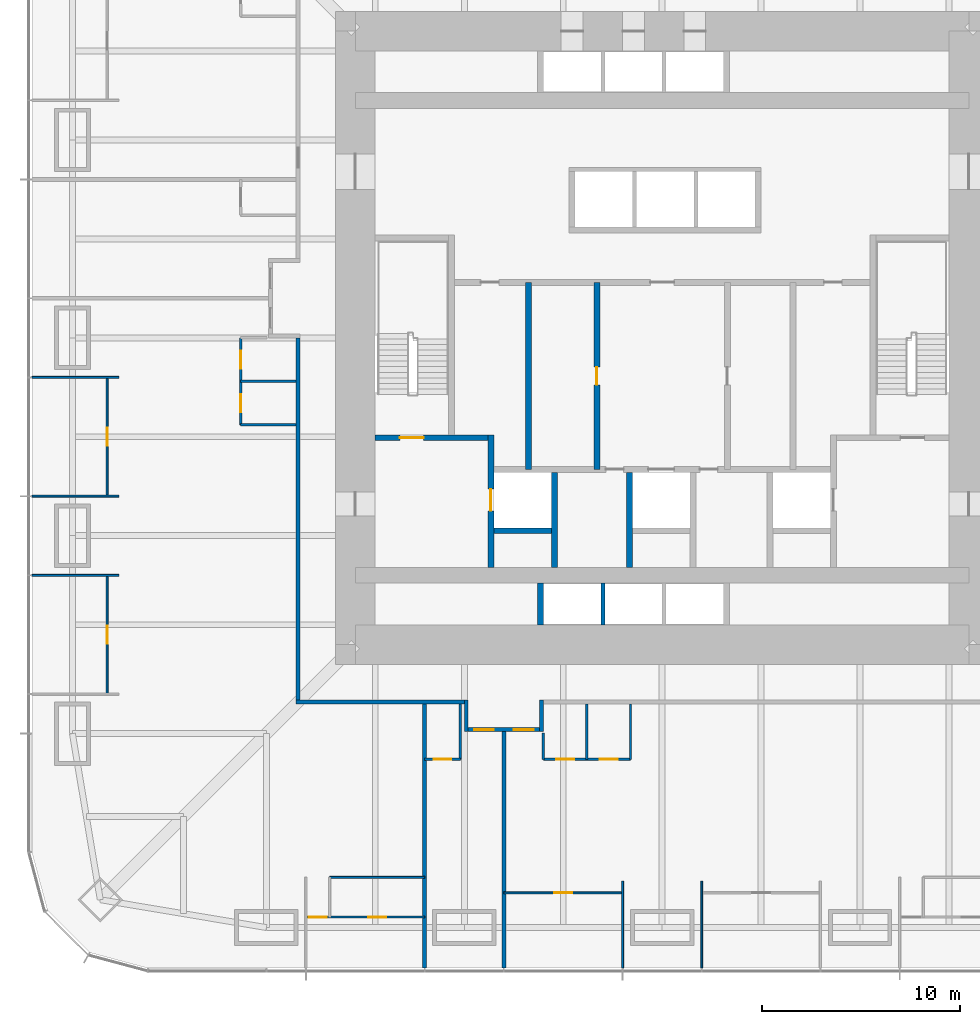
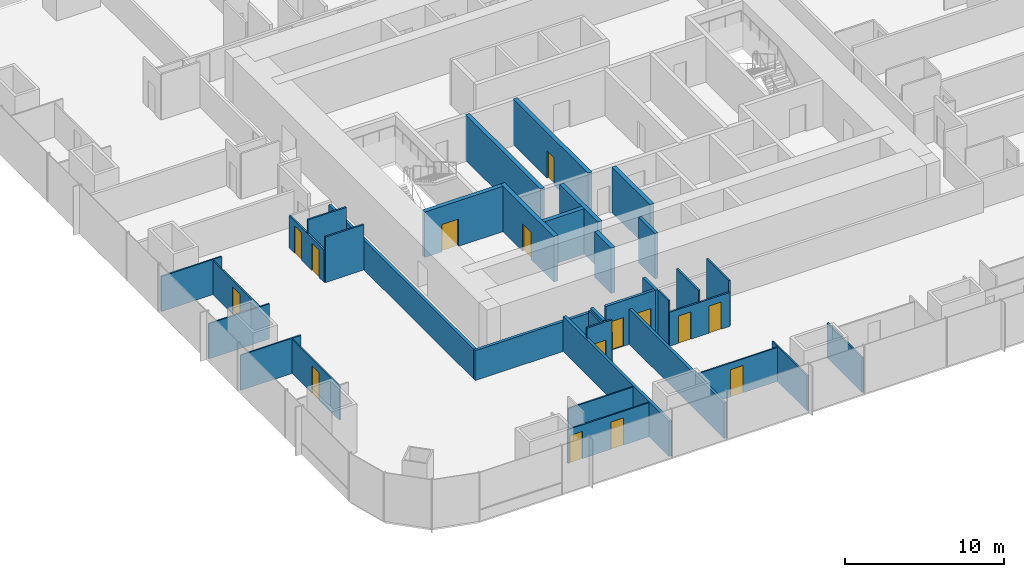
# One storey, part 15 of 20: 35 walls, 15 doors, 15 openings.
"""IFC4 building model written with IfcOpenShell, lengths in metres."""

from ifc_helpers import new_model, si_unit, direction, frame, frame_2d, origin, place, context, subcontext, project, spatial, rectangle, extrude, material, layer, layer_set, type_object, element, fill, save


model = new_model("IFC4")

# Units and contexts
model_context = context("Model", 3, precision=1e-05, world=origin(), true_north=direction((0.0, 1.0)))
body_context = subcontext(model_context, "Body", "Model", "MODEL_VIEW")
ifc_project = project(units=[si_unit("LENGTHUNIT", "METRE"), si_unit("AREAUNIT", "SQUARE_METRE"), si_unit("VOLUMEUNIT", "CUBIC_METRE"), si_unit("PLANEANGLEUNIT", "RADIAN"), si_unit("MASSUNIT", "GRAM", prefix="KILO")], contexts=[model_context])

# Site, building, storey
site_placement = place(None, origin())
site = spatial("IfcSite", under=ifc_project, at=site_placement, CompositionType="ELEMENT")
building_placement = place(site_placement, origin())
building = spatial("IfcBuilding", under=site, at=building_placement, Name="Khuree Lantern Residences", CompositionType="ELEMENT")
storey_placement = place(building_placement, frame((0.0, 0.0, 32.25)))
storey = spatial("IfcBuildingStorey", under=building, at=storey_placement, Name="L07", CompositionType="ELEMENT", Elevation=32.25)

# Wall, openings, doors
ifc_material_1 = material(Name="Moisture-resistant gypsum board on steel studs", Category="steel")
ifc_layer_1 = layer(ifc_material_1, 0.125)
ifc_layer_set_1 = layer_set([ifc_layer_1], Name="BATHROOM WALL BTW125")
wall_type_1 = type_object("IfcWallType", Name="BATHROOM WALL BTW125", PredefinedType="PARTITIONING", material=ifc_layer_set_1)
wall_1_placement = place(storey_placement, frame((-21.300048828125, 0.0, 0.0), z_axis=(0.0, 0.0, 1.0), x_axis=(0.0, -1.0, 0.0)))
wall_1 = element("IfcWall", 1, at=wall_1_placement, inside=storey, type_object=wall_type_1, Name="L07 BATHROOM WALL 09", PredefinedType="PARTITIONING", context=body_context, shape_type="SweptSolid", body=[
    extrude(rectangle(XDim=4.39990234375, YDim=0.125, at=frame_2d((2.199951171875, 0.0))), origin(), (0.0, 0.0, 1.0), 2.491943359375),
])
opening_1_placement = place(wall_1_placement, frame((0.64990234375, 0.0, 0.0)))
opening_1 = element("IfcOpeningElement", 2, at=opening_1_placement, cuts=wall_1, Name="Opening 07-047", PredefinedType="OPENING", context=body_context, shape_type="SweptSolid", body=[
    extrude(rectangle(XDim=0.89990234375, YDim=2.10009765625, at=frame_2d((0.449951171875, 1.050048828125))), frame((0.0, 0.072509765625, 0.0), z_axis=(0.0, -1.0, 0.0), x_axis=(1.0, 0.0, 0.0)), (0.0, 0.0, 1.0), 0.14501953125),
])
opening_2_placement = place(wall_1_placement, frame((2.85009765625, 0.0, 0.0)))
opening_2 = element("IfcOpeningElement", 3, at=opening_2_placement, cuts=wall_1, Name="Opening 07-048", PredefinedType="OPENING", context=body_context, shape_type="SweptSolid", body=[
    extrude(rectangle(XDim=0.89990234375, YDim=2.10009765625, at=frame_2d((0.449951171875, 1.050048828125))), frame((0.0, 0.072509765625, 0.0), z_axis=(0.0, -1.0, 0.0), x_axis=(1.0, 0.0, 0.0)), (0.0, 0.0, 1.0), 0.14501953125),
])
ifc_material_2 = material(Name="Timber door leaf in hardwood frame", Category="wood")
door_type_1 = type_object("IfcDoorType", Name="BATHROOM DOOR 900X2100", OperationType="SINGLE_SWING_LEFT", PredefinedType="DOOR", material=ifc_material_2)
door_1_placement = place(opening_1_placement, origin())
door_1 = element("IfcDoor", 4, at=door_1_placement, inside=storey, type_object=door_type_1, Name="Bathroom door 07-047", OperationType="SINGLE_SWING_LEFT", OverallHeight=2.10009765625, OverallWidth=0.89990234375, PredefinedType="DOOR", context=body_context, shape_type="SweptSolid", body=[
    extrude(rectangle(XDim=0.89990234375, YDim=2.10009765625, at=frame_2d((0.449951171875, 1.050048828125))), frame((0.0, 0.02490234375, 0.0), z_axis=(0.0, -1.0, 0.0), x_axis=(1.0, 0.0, 0.0)), (0.0, 0.0, 1.0), 0.050048828125),
])
fill(opening_1, door_1)
door_2_placement = place(opening_2_placement, origin())
door_2 = element("IfcDoor", 5, at=door_2_placement, inside=storey, type_object=door_type_1, Name="Bathroom door 07-048", OperationType="SINGLE_SWING_LEFT", OverallHeight=2.10009765625, OverallWidth=0.89990234375, PredefinedType="DOOR", context=body_context, shape_type="SweptSolid", body=[
    extrude(rectangle(XDim=0.89990234375, YDim=2.10009765625, at=frame_2d((0.449951171875, 1.050048828125))), frame((0.0, 0.02490234375, 0.0), z_axis=(0.0, -1.0, 0.0), x_axis=(1.0, 0.0, 0.0)), (0.0, 0.0, 1.0), 0.050048828125),
])
fill(opening_2, door_2)

# Walls
for number, where, z_axis, x_axis, name in (
    (6, (-18.5, -2.199951171875, 0.0), (0.0, 0.0, 1.0), (-1.0, 0.0, 0.0), "L07 BATHROOM WALL 09"),
    (7, (-18.5, -4.39990234375, 0.0), (0.0, 0.0, 1.0), (-1.0, 0.0, 0.0), "L07 BATHROOM WALL 09"),
):
    element("IfcWall", number, at=place(storey_placement, frame(where, z_axis=z_axis, x_axis=x_axis)), inside=storey, type_object=wall_type_1, Name=name, PredefinedType="PARTITIONING", context=body_context, shape_type="SweptSolid", body=[
        extrude(rectangle(XDim=2.800048828125, YDim=0.125, at=frame_2d((1.39990234375, 0.0))), origin(), (0.0, 0.0, 1.0), 3.5),
    ])

# Wall, opening, door
wall_2_placement = place(storey_placement, frame((-12.0, -21.300048828125, 0.0), z_axis=(0.0, 0.0, 1.0), x_axis=(1.0, 0.0, 0.0)))
wall_2 = element("IfcWall", 8, at=wall_2_placement, inside=storey, type_object=wall_type_1, Name="L07 BATHROOM WALL 10", PredefinedType="PARTITIONING", context=body_context, shape_type="SweptSolid", body=[
    extrude(rectangle(XDim=1.800048828125, YDim=0.125, at=frame_2d((0.89990234375, 0.0))), origin(), (0.0, 0.0, 1.0), 3.5),
])
opening_3_placement = place(wall_2_placement, frame((0.449951171875, 0.0, 0.0)))
opening_3 = element("IfcOpeningElement", 9, at=opening_3_placement, cuts=wall_2, Name="Opening 07-050", PredefinedType="OPENING", context=body_context, shape_type="SweptSolid", body=[
    extrude(rectangle(XDim=0.89990234375, YDim=2.10009765625, at=frame_2d((0.449951171875, 1.050048828125))), frame((0.0, 0.072509765625, 0.0), z_axis=(0.0, -1.0, 0.0), x_axis=(1.0, 0.0, 0.0)), (0.0, 0.0, 1.0), 0.14501953125),
])
door_3_placement = place(opening_3_placement, origin())
door_3 = element("IfcDoor", 10, at=door_3_placement, inside=storey, type_object=door_type_1, Name="Bathroom door 07-050", OperationType="SINGLE_SWING_LEFT", OverallHeight=2.10009765625, OverallWidth=0.89990234375, PredefinedType="DOOR", context=body_context, shape_type="SweptSolid", body=[
    extrude(rectangle(XDim=0.89990234375, YDim=2.10009765625, at=frame_2d((0.449951171875, 1.050048828125))), frame((0.0, 0.02490234375, 0.0), z_axis=(0.0, -1.0, 0.0), x_axis=(1.0, 0.0, 0.0)), (0.0, 0.0, 1.0), 0.050048828125),
])
fill(opening_3, door_3)

# Wall
wall_3_placement = place(storey_placement, frame((-10.199951171875, -18.5, 0.0), z_axis=(0.0, 0.0, 1.0), x_axis=(0.0, -1.0, 0.0)))
element("IfcWall", 11, at=wall_3_placement, inside=storey, type_object=wall_type_1, Name="L07 BATHROOM WALL 10", PredefinedType="PARTITIONING", context=body_context, shape_type="SweptSolid", body=[
    extrude(rectangle(XDim=2.800048828125, YDim=0.125, at=frame_2d((1.39990234375, 0.0))), origin(), (0.0, 0.0, 1.0), 2.491943359375),
])

# Wall, openings, doors
wall_4_placement = place(storey_placement, frame((-6.0, -21.300048828125, 0.0), z_axis=(0.0, 0.0, 1.0), x_axis=(1.0, 0.0, 0.0)))
wall_4 = element("IfcWall", 12, at=wall_4_placement, inside=storey, type_object=wall_type_1, Name="L07 BATHROOM WALL 11", PredefinedType="PARTITIONING", context=body_context, shape_type="SweptSolid", body=[
    extrude(rectangle(XDim=4.39990234375, YDim=0.125, at=frame_2d((2.199951171875, 0.0))), origin(), (0.0, 0.0, 1.0), 2.610107421875),
])
opening_4_placement = place(wall_4_placement, frame((0.64990234375, 0.0, 0.0)))
opening_4 = element("IfcOpeningElement", 13, at=opening_4_placement, cuts=wall_4, Name="Opening 07-056", PredefinedType="OPENING", context=body_context, shape_type="SweptSolid", body=[
    extrude(rectangle(XDim=0.89990234375, YDim=2.10009765625, at=frame_2d((0.449951171875, 1.050048828125))), frame((0.0, 0.072509765625, 0.0), z_axis=(0.0, -1.0, 0.0), x_axis=(1.0, 0.0, 0.0)), (0.0, 0.0, 1.0), 0.14501953125),
])
opening_5_placement = place(wall_4_placement, frame((2.85009765625, 0.0, 0.0)))
opening_5 = element("IfcOpeningElement", 14, at=opening_5_placement, cuts=wall_4, Name="Opening 07-057", PredefinedType="OPENING", context=body_context, shape_type="SweptSolid", body=[
    extrude(rectangle(XDim=0.89990234375, YDim=2.10009765625, at=frame_2d((0.449951171875, 1.050048828125))), frame((0.0, 0.072509765625, 0.0), z_axis=(0.0, -1.0, 0.0), x_axis=(1.0, 0.0, 0.0)), (0.0, 0.0, 1.0), 0.14501953125),
])
door_4_placement = place(opening_4_placement, origin())
door_4 = element("IfcDoor", 15, at=door_4_placement, inside=storey, type_object=door_type_1, Name="Bathroom door 07-056", OperationType="SINGLE_SWING_LEFT", OverallHeight=2.10009765625, OverallWidth=0.89990234375, PredefinedType="DOOR", context=body_context, shape_type="SweptSolid", body=[
    extrude(rectangle(XDim=0.89990234375, YDim=2.10009765625, at=frame_2d((0.449951171875, 1.050048828125))), frame((0.0, 0.02490234375, 0.0), z_axis=(0.0, -1.0, 0.0), x_axis=(1.0, 0.0, 0.0)), (0.0, 0.0, 1.0), 0.050048828125),
])
fill(opening_4, door_4)
door_5_placement = place(opening_5_placement, origin())
door_5 = element("IfcDoor", 16, at=door_5_placement, inside=storey, type_object=door_type_1, Name="Bathroom door 07-057", OperationType="SINGLE_SWING_LEFT", OverallHeight=2.10009765625, OverallWidth=0.89990234375, PredefinedType="DOOR", context=body_context, shape_type="SweptSolid", body=[
    extrude(rectangle(XDim=0.89990234375, YDim=2.10009765625, at=frame_2d((0.449951171875, 1.050048828125))), frame((0.0, 0.02490234375, 0.0), z_axis=(0.0, -1.0, 0.0), x_axis=(1.0, 0.0, 0.0)), (0.0, 0.0, 1.0), 0.050048828125),
])
fill(opening_5, door_5)

# Walls
wall_5_placement = place(storey_placement, frame((-6.0, -19.969970703125, 0.0), z_axis=(0.0, 0.0, 1.0), x_axis=(0.0, -1.0, 0.0)))
element("IfcWall", 17, at=wall_5_placement, inside=storey, type_object=wall_type_1, Name="L07 BATHROOM WALL 11", PredefinedType="PARTITIONING", context=body_context, shape_type="SweptSolid", body=[
    extrude(rectangle(XDim=1.330078125, YDim=0.125, at=frame_2d((0.6650390625, 0.0))), origin(), (0.0, 0.0, 1.0), 3.5),
])
for number, where, z_axis, x_axis, name in (
    (18, (-3.800048828125, -18.5, 0.0), (0.0, 0.0, 1.0), (0.0, -1.0, 0.0), "L07 BATHROOM WALL 11"),
    (19, (-1.60009765625, -18.5, 0.0), (0.0, 0.0, 1.0), (0.0, -1.0, 0.0), "L07 BATHROOM WALL 11"),
):
    element("IfcWall", number, at=place(storey_placement, frame(where, z_axis=z_axis, x_axis=x_axis)), inside=storey, type_object=wall_type_1, Name=name, PredefinedType="PARTITIONING", context=body_context, shape_type="SweptSolid", body=[
        extrude(rectangle(XDim=2.800048828125, YDim=0.125, at=frame_2d((1.39990234375, 0.0))), origin(), (0.0, 0.0, 1.0), 3.5),
    ])

# Wall, opening, door
ifc_material_3 = material(Name="Dense concrete blockwork", Category="masonry")
ifc_layer_2 = layer(ifc_material_3, 0.300048828125)
ifc_layer_set_2 = layer_set([ifc_layer_2], Name="CORE PARTITION WALL CPW300 EI 120")
wall_type_2 = type_object("IfcWallType", Name="CORE PARTITION WALL CPW300 EI 120", PredefinedType="PARTITIONING", material=ifc_layer_set_2)
wall_6_placement = place(storey_placement, frame((-8.64990234375, -11.60009765625, 0.0), z_axis=(0.0, 0.0, 1.0), x_axis=(0.0, 1.0, 0.0)))
wall_6 = element("IfcWall", 20, at=wall_6_placement, inside=storey, type_object=wall_type_2, Name="L07 CORE WALL FL1W", PredefinedType="PARTITIONING", context=body_context, shape_type="SweptSolid", body=[
    extrude(rectangle(XDim=6.7001953125, YDim=0.300048828125, at=frame_2d((3.35009765625, 0.0))), origin(), (0.0, 0.0, 1.0), 3.5),
])
opening_6_placement = place(wall_6_placement, frame((2.85009765625, 0.0, 0.0)))
opening_6 = element("IfcOpeningElement", 21, at=opening_6_placement, cuts=wall_6, Name="Opening 07-007", PredefinedType="OPENING", context=body_context, shape_type="SweptSolid", body=[
    extrude(rectangle(XDim=1.10009765625, YDim=2.10009765625, at=frame_2d((0.550048828125, 1.050048828125))), frame((0.0, 0.16015625, 0.0), z_axis=(0.0, -1.0, 0.0), x_axis=(1.0, 0.0, 0.0)), (0.0, 0.0, 1.0), 0.320068359375),
])
ifc_material_4 = material(Name="Stainless steel lift landing door", Category="steel")
door_type_2 = type_object("IfcDoorType", Name="LIFT LANDING DOOR 1100X2100 E 120", OperationType="DOUBLE_DOOR_SLIDING", PredefinedType="DOOR", material=ifc_material_4)
door_6_placement = place(opening_6_placement, origin())
door_6 = element("IfcDoor", 22, at=door_6_placement, inside=storey, type_object=door_type_2, Name="Landing door FL1 07-007", OperationType="DOUBLE_DOOR_SLIDING", OverallHeight=2.10009765625, OverallWidth=1.10009765625, PredefinedType="DOOR", context=body_context, shape_type="SweptSolid", body=[
    extrude(rectangle(XDim=1.10009765625, YDim=2.10009765625, at=frame_2d((0.550048828125, 1.050048828125))), frame((0.0, 0.02490234375, 0.0), z_axis=(0.0, -1.0, 0.0), x_axis=(1.0, 0.0, 0.0)), (0.0, 0.0, 1.0), 0.050048828125),
])
fill(opening_6, door_6)

# Walls
for number, where, z_axis, x_axis, name in (
    (23, (-5.449951171875, -11.60009765625, 0.0), (0.0, 0.0, 1.0), (0.0, 1.0, 0.0), "L07 CORE WALL FL1E"),
    (24, (-1.64990234375, -11.60009765625, 0.0), (0.0, 0.0, 1.0), (0.0, 1.0, 0.0), "L07 CORE WALL SL1W"),
):
    element("IfcWall", number, at=place(storey_placement, frame(where, z_axis=z_axis, x_axis=x_axis)), inside=storey, type_object=wall_type_2, Name=name, PredefinedType="PARTITIONING", context=body_context, shape_type="SweptSolid", body=[
        extrude(rectangle(XDim=4.800048828125, YDim=0.300048828125, at=frame_2d((2.39990234375, 0.0))), origin(), (0.0, 0.0, 1.0), 3.5),
    ])
wall_7_placement = place(storey_placement, frame((-8.5, -9.75, 0.0), z_axis=(0.0, 0.0, 1.0), x_axis=(1.0, 0.0, 0.0)))
element("IfcWall", 25, at=wall_7_placement, inside=storey, type_object=wall_type_2, Name="L07 CORE WALL FL1S", PredefinedType="PARTITIONING", context=body_context, shape_type="SweptSolid", body=[
    extrude(rectangle(XDim=2.89990234375, YDim=0.300048828125, at=frame_2d((1.449951171875, 0.0))), origin(), (0.0, 0.0, 1.0), 3.5),
])
wall_8_placement = place(storey_placement, frame((-6.14990234375, -14.5, 0.0), z_axis=(0.0, 0.0, 1.0), x_axis=(0.0, 1.0, 0.0)))
element("IfcWall", 26, at=wall_8_placement, inside=storey, type_object=wall_type_2, Name="L07 CORE WALL PMW", PredefinedType="PARTITIONING", context=body_context, shape_type="SweptSolid", body=[
    extrude(rectangle(XDim=2.10009765625, YDim=0.300048828125, at=frame_2d((1.050048828125, 0.0))), origin(), (0.0, 0.0, 1.0), 3.5),
])

# Wall, opening, door
wall_9_placement = place(storey_placement, frame((-3.300048828125, -6.64990234375, 0.0), z_axis=(0.0, 0.0, 1.0), x_axis=(0.0, 1.0, 0.0)))
wall_9 = element("IfcWall", 27, at=wall_9_placement, inside=storey, type_object=wall_type_2, Name="L07 CORE WALL SVW", PredefinedType="PARTITIONING", context=body_context, shape_type="SweptSolid", body=[
    extrude(rectangle(XDim=9.449951171875, YDim=0.300048828125, at=frame_2d((4.72509765625, 0.0))), origin(), (0.0, 0.0, 1.0), 3.5),
])
opening_7_placement = place(wall_9_placement, frame((4.27490234375, 0.0, 0.0)))
opening_7 = element("IfcOpeningElement", 28, at=opening_7_placement, cuts=wall_9, Name="Opening 07-016", PredefinedType="OPENING", context=body_context, shape_type="SweptSolid", body=[
    extrude(rectangle(XDim=0.89990234375, YDim=2.10009765625, at=frame_2d((0.449951171875, 1.050048828125))), frame((0.0, 0.16015625, 0.0), z_axis=(0.0, -1.0, 0.0), x_axis=(1.0, 0.0, 0.0)), (0.0, 0.0, 1.0), 0.320068359375),
])
door_type_3 = type_object("IfcDoorType", Name="DOOR 900X2100", OperationType="SINGLE_SWING_LEFT", PredefinedType="DOOR", material=ifc_material_2)
door_7_placement = place(opening_7_placement, origin())
door_7 = element("IfcDoor", 29, at=door_7_placement, inside=storey, type_object=door_type_3, Name="Residents' store door 07-016", OperationType="SINGLE_SWING_LEFT", OverallHeight=2.10009765625, OverallWidth=0.89990234375, PredefinedType="DOOR", context=body_context, shape_type="SweptSolid", body=[
    extrude(rectangle(XDim=0.89990234375, YDim=2.10009765625, at=frame_2d((0.449951171875, 1.050048828125))), frame((0.0, 0.02490234375, 0.0), z_axis=(0.0, -1.0, 0.0), x_axis=(1.0, 0.0, 0.0)), (0.0, 0.0, 1.0), 0.050048828125),
])
fill(opening_7, door_7)

# Walls
wall_10_placement = place(storey_placement, frame((-6.763916015625, -6.64990234375, 0.0), z_axis=(0.0, 0.0, 1.0), x_axis=(0.0, 1.0, 0.0)))
element("IfcWall", 30, at=wall_10_placement, inside=storey, type_object=wall_type_2, Name="L07 CORE WALL WV", PredefinedType="PARTITIONING", context=body_context, shape_type="SweptSolid", body=[
    extrude(rectangle(XDim=9.449951171875, YDim=0.300048828125, at=frame_2d((4.72509765625, 0.0))), origin(), (0.0, 0.0, 1.0), 3.5),
])
ifc_material_5 = material(Name="Gypsum board on steel studs", Category="steel")
ifc_layer_3 = layer(ifc_material_5, 0.199951171875)
ifc_layer_set_3 = layer_set([ifc_layer_3], Name="CORRIDOR WALL CRW200 EI 60")
wall_type_3 = type_object("IfcWallType", Name="CORRIDOR WALL CRW200 EI 60", PredefinedType="PARTITIONING", material=ifc_layer_set_3)
wall_11_placement = place(storey_placement, frame((-18.39990234375, 0.0, 0.0), z_axis=(0.0, 0.0, 1.0), x_axis=(0.0, -1.0, 0.0)))
element("IfcWall", 31, at=wall_11_placement, inside=storey, type_object=wall_type_3, Name="L07 CORRIDOR WALL WEST 2", PredefinedType="PARTITIONING", context=body_context, shape_type="SweptSolid", body=[
    extrude(rectangle(XDim=18.300048828125, YDim=0.199951171875, at=frame_2d((9.14990234375, 0.0))), origin(), (0.0, 0.0, 1.0), 2.300048828125),
])
wall_12_placement = place(storey_placement, frame((-6.10009765625, -18.300048828125, 0.0), z_axis=(0.0, 0.0, 1.0), x_axis=(0.0, -1.0, 0.0)))
element("IfcWall", 32, at=wall_12_placement, inside=storey, type_object=wall_type_3, Name="L07 CORRIDOR ALCOVE WALL SOUTH", PredefinedType="PARTITIONING", context=body_context, shape_type="SweptSolid", body=[
    extrude(rectangle(XDim=1.599853515625, YDim=0.199951171875, at=frame_2d((0.7998046875, 0.0))), origin(), (0.0, 0.0, 1.0), 3.5),
])
wall_13_placement = place(storey_placement, frame((-9.89990234375, -18.300048828125, 0.0), z_axis=(0.0, 0.0, 1.0), x_axis=(0.0, -1.0, 0.0)))
element("IfcWall", 33, at=wall_13_placement, inside=storey, type_object=wall_type_3, Name="L07 CORRIDOR ALCOVE WALL SOUTH", PredefinedType="PARTITIONING", context=body_context, shape_type="SweptSolid", body=[
    extrude(rectangle(XDim=1.599853515625, YDim=0.199951171875, at=frame_2d((0.7998046875, 0.0))), origin(), (0.0, 0.0, 1.0), 2.491943359375),
])

# Wall, openings, doors
wall_14_placement = place(storey_placement, frame((-6.199951171875, -19.800048828125, 0.0), z_axis=(0.0, 0.0, 1.0), x_axis=(-1.0, 0.0, 0.0)))
wall_14 = element("IfcWall", 34, at=wall_14_placement, inside=storey, type_object=wall_type_3, Name="L07 CORRIDOR ALCOVE WALL SOUTH", PredefinedType="PARTITIONING", context=body_context, shape_type="SweptSolid", body=[
    extrude(rectangle(XDim=3.60009765625, YDim=0.199951171875, at=frame_2d((1.800048828125, 0.0))), origin(), (0.0, 0.0, 1.0), 3.5),
])
opening_8_placement = place(wall_14_placement, frame((2.300048828125, 0.0, 0.0)))
opening_8 = element("IfcOpeningElement", 35, at=opening_8_placement, cuts=wall_14, Name="Opening 07-051", PredefinedType="OPENING", context=body_context, shape_type="SweptSolid", body=[
    extrude(rectangle(XDim=1.0, YDim=2.199951171875, at=frame_2d((0.5, 1.10009765625))), frame((0.0, 0.10986328125, 0.0), z_axis=(0.0, -1.0, 0.0), x_axis=(1.0, 0.0, 0.0)), (0.0, 0.0, 1.0), 0.219970703125),
])
opening_9_placement = place(wall_14_placement, frame((0.300048828125, 0.0, 0.0)))
opening_9 = element("IfcOpeningElement", 36, at=opening_9_placement, cuts=wall_14, Name="Opening 07-058", PredefinedType="OPENING", context=body_context, shape_type="SweptSolid", body=[
    extrude(rectangle(XDim=1.0, YDim=2.199951171875, at=frame_2d((0.5, 1.10009765625))), frame((0.0, 0.10986328125, 0.0), z_axis=(0.0, -1.0, 0.0), x_axis=(1.0, 0.0, 0.0)), (0.0, 0.0, 1.0), 0.219970703125),
])
door_type_4 = type_object("IfcDoorType", Name="APARTMENT ENTRANCE DOOR 1000X2200 EI 30S", OperationType="SINGLE_SWING_LEFT", PredefinedType="DOOR", material=ifc_material_2)
door_8_placement = place(opening_8_placement, origin())
door_8 = element("IfcDoor", 37, at=door_8_placement, inside=storey, type_object=door_type_4, Name="Apartment 10 entrance door 07-051", OperationType="SINGLE_SWING_LEFT", OverallHeight=2.199951171875, OverallWidth=1.0, PredefinedType="DOOR", context=body_context, shape_type="SweptSolid", body=[
    extrude(rectangle(XDim=1.0, YDim=2.199951171875, at=frame_2d((0.5, 1.10009765625))), frame((0.0, 0.02490234375, 0.0), z_axis=(0.0, -1.0, 0.0), x_axis=(1.0, 0.0, 0.0)), (0.0, 0.0, 1.0), 0.050048828125),
])
fill(opening_8, door_8)
door_9_placement = place(opening_9_placement, origin())
door_9 = element("IfcDoor", 38, at=door_9_placement, inside=storey, type_object=door_type_4, Name="Apartment 11 entrance door 07-058", OperationType="SINGLE_SWING_LEFT", OverallHeight=2.199951171875, OverallWidth=1.0, PredefinedType="DOOR", context=body_context, shape_type="SweptSolid", body=[
    extrude(rectangle(XDim=1.0, YDim=2.199951171875, at=frame_2d((0.5, 1.10009765625))), frame((0.0, 0.02490234375, 0.0), z_axis=(0.0, -1.0, 0.0), x_axis=(1.0, 0.0, 0.0)), (0.0, 0.0, 1.0), 0.050048828125),
])
fill(opening_9, door_9)

# Walls
wall_15_placement = place(storey_placement, frame((-10.0, -18.39990234375, 0.0), z_axis=(0.0, 0.0, 1.0), x_axis=(-1.0, 0.0, 0.0)))
element("IfcWall", 39, at=wall_15_placement, inside=storey, type_object=wall_type_3, Name="L07 CORRIDOR WALL SOUTH 2", PredefinedType="PARTITIONING", context=body_context, shape_type="SweptSolid", body=[
    extrude(rectangle(XDim=8.5, YDim=0.199951171875, at=frame_2d((4.25, 0.0))), origin(), (0.0, 0.0, 1.0), 2.300048828125),
])
ifc_layer_4 = layer(ifc_material_5, 0.199951171875)
ifc_layer_set_4 = layer_set([ifc_layer_4], Name="DEMISING WALL DMW200 EI 90")
wall_type_4 = type_object("IfcWallType", Name="DEMISING WALL DMW200 EI 90", PredefinedType="PARTITIONING", material=ifc_layer_set_4)
wall_16_placement = place(storey_placement, frame((-12.0, -18.5, 0.0), z_axis=(0.0, 0.0, 1.0), x_axis=(0.0, -1.0, 0.0)))
element("IfcWall", 40, at=wall_16_placement, inside=storey, type_object=wall_type_4, Name="L07 DEMISING WALL 10", PredefinedType="PARTITIONING", context=body_context, shape_type="SweptSolid", body=[
    extrude(rectangle(XDim=13.35009765625, YDim=0.199951171875, at=frame_2d((6.675048828125, 0.0))), origin(), (0.0, 0.0, 1.0), 2.7099609375),
])
wall_17_placement = place(storey_placement, frame((-8.0, -19.89990234375, 0.0), z_axis=(0.0, 0.0, 1.0), x_axis=(0.0, -1.0, 0.0)))
element("IfcWall", 41, at=wall_17_placement, inside=storey, type_object=wall_type_4, Name="L07 DEMISING WALL 11", PredefinedType="PARTITIONING", context=body_context, shape_type="SweptSolid", body=[
    extrude(rectangle(XDim=11.9501953125, YDim=0.199951171875, at=frame_2d((5.97509765625, 0.0))), origin(), (0.0, 0.0, 1.0), 2.7099609375),
])
ifc_layer_5 = layer(ifc_material_5, 0.10009765625)
ifc_layer_set_5 = layer_set([ifc_layer_5], Name="PARTITION PT100")
wall_type_5 = type_object("IfcWallType", Name="PARTITION PT100", PredefinedType="PARTITIONING", material=ifc_layer_set_5)
for number, where, z_axis, x_axis, name in (
    (42, (-27.449951171875, -2.0, 0.0), (0.0, 0.0, 1.0), (-1.0, 0.0, 0.0), "L07 PARTITION 09"),
    (43, (-27.449951171875, -8.0, 0.0), (0.0, 0.0, 1.0), (-1.0, 0.0, 0.0), "L07 PARTITION 09"),
    (44, (-27.449951171875, -12.0, 0.0), (0.0, 0.0, 1.0), (-1.0, 0.0, 0.0), "L07 PARTITION 09"),
    (45, (-2.0, -27.449951171875, 0.0), (0.0, 0.0, 1.0), (0.0, -1.0, 0.0), "L07 PARTITION 11"),
    (46, (2.0, -27.449951171875, 0.0), (0.0, 0.0, 1.0), (0.0, -1.0, 0.0), "L07 PARTITION 11"),
):
    element("IfcWall", number, at=place(storey_placement, frame(where, z_axis=z_axis, x_axis=x_axis)), inside=storey, type_object=wall_type_5, Name=name, PredefinedType="PARTITIONING", context=body_context, shape_type="SweptSolid", body=[
        extrude(rectangle(XDim=4.400146484375, YDim=0.10009765625, at=frame_2d((2.2001953125, 0.0))), origin(), (0.0, 0.0, 1.0), 2.7099609375),
    ])

# Wall, opening, door
wall_18_placement = place(storey_placement, frame((-28.050048828125, -2.0, 0.0), z_axis=(0.0, 0.0, 1.0), x_axis=(0.0, -1.0, 0.0)))
wall_18 = element("IfcWall", 47, at=wall_18_placement, inside=storey, type_object=wall_type_5, Name="L07 PARTITION 09", PredefinedType="PARTITIONING", context=body_context, shape_type="SweptSolid", body=[
    extrude(rectangle(XDim=6.0, YDim=0.10009765625, at=frame_2d((3.0, 0.0))), origin(), (0.0, 0.0, 1.0), 2.610107421875),
])
opening_10_placement = place(wall_18_placement, frame((2.550048828125, 0.0, 0.0)))
opening_10 = element("IfcOpeningElement", 48, at=opening_10_placement, cuts=wall_18, Name="Opening 07-043", PredefinedType="OPENING", context=body_context, shape_type="SweptSolid", body=[
    extrude(rectangle(XDim=0.89990234375, YDim=2.10009765625, at=frame_2d((0.449951171875, 1.050048828125))), frame((0.0, 0.06005859375, 0.0), z_axis=(0.0, -1.0, 0.0), x_axis=(1.0, 0.0, 0.0)), (0.0, 0.0, 1.0), 0.1201171875),
])
door_type_5 = type_object("IfcDoorType", Name="BEDROOM DOOR 900X2100", OperationType="SINGLE_SWING_LEFT", PredefinedType="DOOR", material=ifc_material_2)
door_10_placement = place(opening_10_placement, origin())
door_10 = element("IfcDoor", 49, at=door_10_placement, inside=storey, type_object=door_type_5, Name="Bedroom door 07-043", OperationType="SINGLE_SWING_LEFT", OverallHeight=2.10009765625, OverallWidth=0.89990234375, PredefinedType="DOOR", context=body_context, shape_type="SweptSolid", body=[
    extrude(rectangle(XDim=0.89990234375, YDim=2.10009765625, at=frame_2d((0.449951171875, 1.050048828125))), frame((0.0, 0.02490234375, 0.0), z_axis=(0.0, -1.0, 0.0), x_axis=(1.0, 0.0, 0.0)), (0.0, 0.0, 1.0), 0.050048828125),
])
fill(opening_10, door_10)

wall_19_placement = place(storey_placement, frame((-28.050048828125, -12.0, 0.0), z_axis=(0.0, 0.0, 1.0), x_axis=(0.0, -1.0, 0.0)))
wall_19 = element("IfcWall", 50, at=wall_19_placement, inside=storey, type_object=wall_type_5, Name="L07 PARTITION 09", PredefinedType="PARTITIONING", context=body_context, shape_type="SweptSolid", body=[
    extrude(rectangle(XDim=6.0, YDim=0.10009765625, at=frame_2d((3.0, 0.0))), origin(), (0.0, 0.0, 1.0), 2.610107421875),
])
opening_11_placement = place(wall_19_placement, frame((2.550048828125, 0.0, 0.0)))
opening_11 = element("IfcOpeningElement", 51, at=opening_11_placement, cuts=wall_19, Name="Opening 07-044", PredefinedType="OPENING", context=body_context, shape_type="SweptSolid", body=[
    extrude(rectangle(XDim=0.89990234375, YDim=2.10009765625, at=frame_2d((0.449951171875, 1.050048828125))), frame((0.0, 0.06005859375, 0.0), z_axis=(0.0, -1.0, 0.0), x_axis=(1.0, 0.0, 0.0)), (0.0, 0.0, 1.0), 0.1201171875),
])
door_11_placement = place(opening_11_placement, origin())
door_11 = element("IfcDoor", 52, at=door_11_placement, inside=storey, type_object=door_type_5, Name="Bedroom door 07-044", OperationType="SINGLE_SWING_LEFT", OverallHeight=2.10009765625, OverallWidth=0.89990234375, PredefinedType="DOOR", context=body_context, shape_type="SweptSolid", body=[
    extrude(rectangle(XDim=0.89990234375, YDim=2.10009765625, at=frame_2d((0.449951171875, 1.050048828125))), frame((0.0, 0.02490234375, 0.0), z_axis=(0.0, -1.0, 0.0), x_axis=(1.0, 0.0, 0.0)), (0.0, 0.0, 1.0), 0.050048828125),
])
fill(opening_11, door_11)

# Wall, openings, doors
wall_20_placement = place(storey_placement, frame((-18.0, -29.2666015625, 0.0), z_axis=(0.0, 0.0, 1.0), x_axis=(1.0, 0.0, 0.0)))
wall_20 = element("IfcWall", 53, at=wall_20_placement, inside=storey, type_object=wall_type_5, Name="L07 PARTITION 09", PredefinedType="PARTITIONING", context=body_context, shape_type="SweptSolid", body=[
    extrude(rectangle(XDim=6.0, YDim=0.10009765625, at=frame_2d((3.0, 0.0))), origin(), (0.0, 0.0, 1.0), 2.610107421875),
])
opening_12_placement = place(wall_20_placement, frame((0.14990234375, 0.0, 0.0)))
opening_12 = element("IfcOpeningElement", 54, at=opening_12_placement, cuts=wall_20, Name="Opening 07-045", PredefinedType="OPENING", context=body_context, shape_type="SweptSolid", body=[
    extrude(rectangle(XDim=0.89990234375, YDim=2.10009765625, at=frame_2d((0.449951171875, 1.050048828125))), frame((0.0, 0.06005859375, 0.0), z_axis=(0.0, -1.0, 0.0), x_axis=(1.0, 0.0, 0.0)), (0.0, 0.0, 1.0), 0.1201171875),
])
opening_13_placement = place(wall_20_placement, frame((3.14990234375, 0.0, 0.0)))
opening_13 = element("IfcOpeningElement", 55, at=opening_13_placement, cuts=wall_20, Name="Opening 07-046", PredefinedType="OPENING", context=body_context, shape_type="SweptSolid", body=[
    extrude(rectangle(XDim=0.89990234375, YDim=2.10009765625, at=frame_2d((0.449951171875, 1.050048828125))), frame((0.0, 0.06005859375, 0.0), z_axis=(0.0, -1.0, 0.0), x_axis=(1.0, 0.0, 0.0)), (0.0, 0.0, 1.0), 0.1201171875),
])
door_12_placement = place(opening_12_placement, origin())
door_12 = element("IfcDoor", 56, at=door_12_placement, inside=storey, type_object=door_type_5, Name="Bedroom door 07-045", OperationType="SINGLE_SWING_LEFT", OverallHeight=2.10009765625, OverallWidth=0.89990234375, PredefinedType="DOOR", context=body_context, shape_type="SweptSolid", body=[
    extrude(rectangle(XDim=0.89990234375, YDim=2.10009765625, at=frame_2d((0.449951171875, 1.050048828125))), frame((0.0, 0.02490234375, 0.0), z_axis=(0.0, -1.0, 0.0), x_axis=(1.0, 0.0, 0.0)), (0.0, 0.0, 1.0), 0.050048828125),
])
fill(opening_12, door_12)
door_13_placement = place(opening_13_placement, origin())
door_13 = element("IfcDoor", 57, at=door_13_placement, inside=storey, type_object=door_type_3, Name="Wardrobe door 07-046", OperationType="SINGLE_SWING_LEFT", OverallHeight=2.10009765625, OverallWidth=0.89990234375, PredefinedType="DOOR", context=body_context, shape_type="SweptSolid", body=[
    extrude(rectangle(XDim=0.89990234375, YDim=2.10009765625, at=frame_2d((0.449951171875, 1.050048828125))), frame((0.0, 0.02490234375, 0.0), z_axis=(0.0, -1.0, 0.0), x_axis=(1.0, 0.0, 0.0)), (0.0, 0.0, 1.0), 0.050048828125),
])
fill(opening_13, door_13)

# Wall
wall_21_placement = place(storey_placement, frame((-16.800048828125, -27.2666015625, 0.0), z_axis=(0.0, 0.0, 1.0), x_axis=(1.0, 0.0, 0.0)))
element("IfcWall", 58, at=wall_21_placement, inside=storey, type_object=wall_type_5, Name="L07 PARTITION 09", PredefinedType="PARTITIONING", context=body_context, shape_type="SweptSolid", body=[
    extrude(rectangle(XDim=4.800048828125, YDim=0.10009765625, at=frame_2d((2.39990234375, 0.0))), origin(), (0.0, 0.0, 1.0), 2.610107421875),
])

# Wall, opening, door
wall_22_placement = place(storey_placement, frame((-8.0, -28.050048828125, 0.0), z_axis=(0.0, 0.0, 1.0), x_axis=(1.0, 0.0, 0.0)))
wall_22 = element("IfcWall", 59, at=wall_22_placement, inside=storey, type_object=wall_type_5, Name="L07 PARTITION 11", PredefinedType="PARTITIONING", context=body_context, shape_type="SweptSolid", body=[
    extrude(rectangle(XDim=6.0, YDim=0.10009765625, at=frame_2d((3.0, 0.0))), origin(), (0.0, 0.0, 1.0), 2.610107421875),
])
opening_14_placement = place(wall_22_placement, frame((2.550048828125, 0.0, 0.0)))
opening_14 = element("IfcOpeningElement", 60, at=opening_14_placement, cuts=wall_22, Name="Opening 07-052", PredefinedType="OPENING", context=body_context, shape_type="SweptSolid", body=[
    extrude(rectangle(XDim=0.89990234375, YDim=2.10009765625, at=frame_2d((0.449951171875, 1.050048828125))), frame((0.0, 0.06005859375, 0.0), z_axis=(0.0, -1.0, 0.0), x_axis=(1.0, 0.0, 0.0)), (0.0, 0.0, 1.0), 0.1201171875),
])
door_14_placement = place(opening_14_placement, origin())
door_14 = element("IfcDoor", 61, at=door_14_placement, inside=storey, type_object=door_type_5, Name="Bedroom door 07-052", OperationType="SINGLE_SWING_LEFT", OverallHeight=2.10009765625, OverallWidth=0.89990234375, PredefinedType="DOOR", context=body_context, shape_type="SweptSolid", body=[
    extrude(rectangle(XDim=0.89990234375, YDim=2.10009765625, at=frame_2d((0.449951171875, 1.050048828125))), frame((0.0, 0.02490234375, 0.0), z_axis=(0.0, -1.0, 0.0), x_axis=(1.0, 0.0, 0.0)), (0.0, 0.0, 1.0), 0.050048828125),
])
fill(opening_14, door_14)

# Wall
ifc_layer_6 = layer(ifc_material_3, 0.199951171875)
ifc_layer_set_6 = layer_set([ifc_layer_6], Name="SHAFT WALL SHW200 EI 120")
wall_type_6 = type_object("IfcWallType", Name="SHAFT WALL SHW200 EI 120", PredefinedType="PARTITIONING", material=ifc_layer_set_6)
wall_23_placement = place(storey_placement, frame((-3.0, -14.5, 0.0), z_axis=(0.0, 0.0, 1.0), x_axis=(0.0, 1.0, 0.0)))
element("IfcWall", 62, at=wall_23_placement, inside=storey, type_object=wall_type_6, Name="L07 CORE WALL PMD1", PredefinedType="PARTITIONING", context=body_context, shape_type="SweptSolid", body=[
    extrude(rectangle(XDim=2.10009765625, YDim=0.199951171875, at=frame_2d((1.050048828125, 0.0))), origin(), (0.0, 0.0, 1.0), 3.5),
])

# Wall, opening, door
ifc_material_6 = material(Name="Concrete C50/60", Category="concrete")
ifc_layer_7 = layer(ifc_material_6, 0.300048828125)
ifc_layer_set_7 = layer_set([ifc_layer_7], Name="STAIR WALL SRW300 C50/60 REI 240")
wall_type_7 = type_object("IfcWallType", Name="STAIR WALL SRW300 C50/60 REI 240", PredefinedType="SOLIDWALL", material=ifc_layer_set_7)
wall_24_placement = place(storey_placement, frame((-14.5, -5.050048828125, 0.0), z_axis=(0.0, 0.0, 1.0), x_axis=(1.0, 0.0, 0.0)))
wall_24 = element("IfcWall", 63, at=wall_24_placement, inside=storey, type_object=wall_type_7, Name="L07 STAIR WALL ST1S", PredefinedType="SOLIDWALL", context=body_context, shape_type="SweptSolid", body=[
    extrude(rectangle(XDim=5.699951171875, YDim=0.300048828125, at=frame_2d((2.85009765625, 0.0))), origin(), (0.0, 0.0, 1.0), 3.5),
])
opening_15_placement = place(wall_24_placement, frame((1.25, 0.0, 0.0)))
opening_15 = element("IfcOpeningElement", 64, at=opening_15_placement, cuts=wall_24, Name="Opening 07-001", PredefinedType="OPENING", context=body_context, shape_type="SweptSolid", body=[
    extrude(rectangle(XDim=1.199951171875, YDim=2.10009765625, at=frame_2d((0.60009765625, 1.050048828125))), frame((0.0, 0.16015625, 0.0), z_axis=(0.0, -1.0, 0.0), x_axis=(1.0, 0.0, 0.0)), (0.0, 0.0, 1.0), 0.320068359375),
])
ifc_material_7 = material(Name="Steel door leaf in steel frame", Category="steel")
door_type_6 = type_object("IfcDoorType", Name="STAIR DOOR 1200X2100 EI 120", OperationType="SINGLE_SWING_LEFT", PredefinedType="DOOR", material=ifc_material_7)
door_15_placement = place(opening_15_placement, origin())
door_15 = element("IfcDoor", 65, at=door_15_placement, inside=storey, type_object=door_type_6, Name="Stair ST1 door 07-001", OperationType="SINGLE_SWING_LEFT", OverallHeight=2.10009765625, OverallWidth=1.199951171875, PredefinedType="DOOR", context=body_context, shape_type="SweptSolid", body=[
    extrude(rectangle(XDim=1.199951171875, YDim=2.10009765625, at=frame_2d((0.60009765625, 1.050048828125))), frame((0.0, 0.02490234375, 0.0), z_axis=(0.0, -1.0, 0.0), x_axis=(1.0, 0.0, 0.0)), (0.0, 0.0, 1.0), 0.050048828125),
])
fill(opening_15, door_15)

save(model, "model.ifc")
